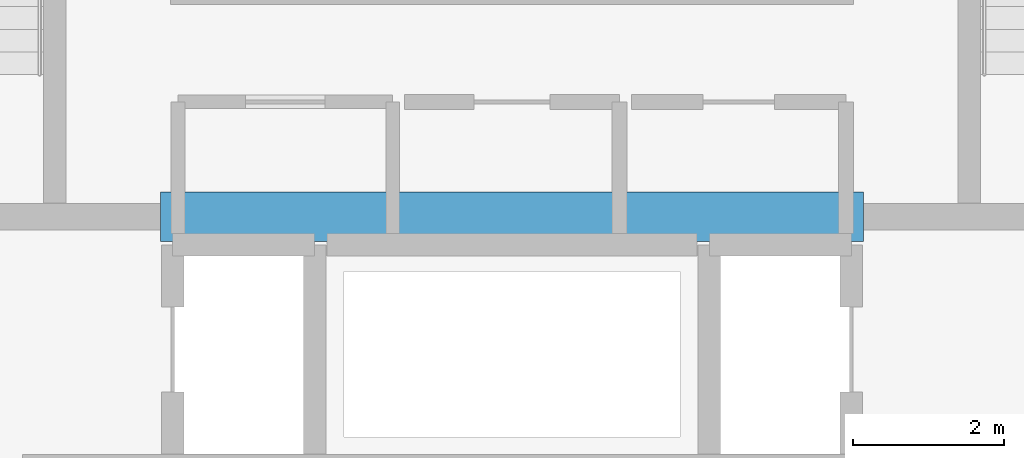
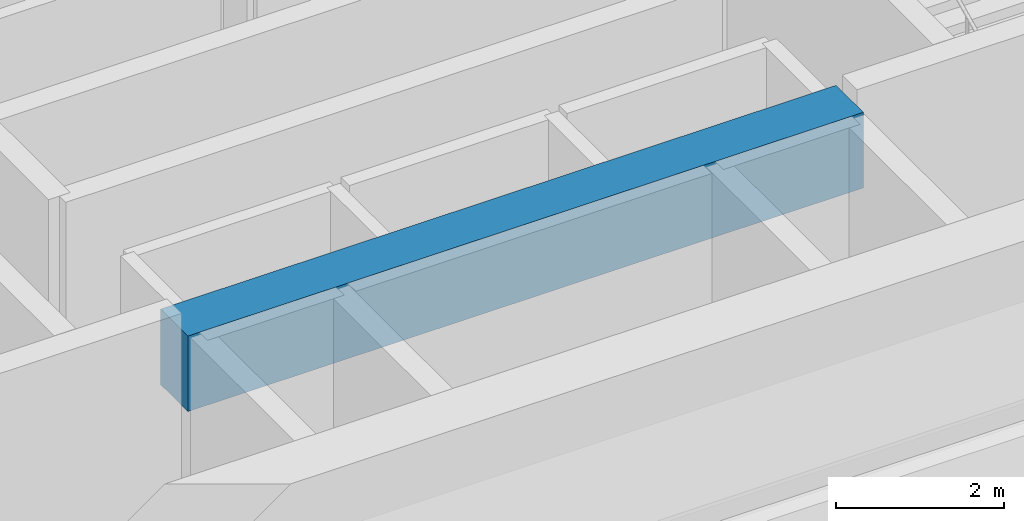
# One storey, part 8 of 34: 1 beam.
"""IFC4 building model written with IfcOpenShell, lengths in metres."""

from ifc_helpers import new_model, si_unit, direction, frame, origin, origin_2d, place, context, subcontext, project, spatial, rectangle, extrude, material, material_profile, profile_set, type_object, element, save


model = new_model("IFC4")

# Units and contexts
model_context = context("Model", 3, precision=1e-05, world=origin(), true_north=direction((0.0, 1.0)))
body_context = subcontext(model_context, "Body", "Model", "MODEL_VIEW")
ifc_project = project(units=[si_unit("LENGTHUNIT", "METRE"), si_unit("AREAUNIT", "SQUARE_METRE"), si_unit("VOLUMEUNIT", "CUBIC_METRE"), si_unit("PLANEANGLEUNIT", "RADIAN"), si_unit("MASSUNIT", "GRAM", prefix="KILO")], contexts=[model_context])

# Site, building, storey
site_placement = place(None, origin())
site = spatial("IfcSite", under=ifc_project, at=site_placement, CompositionType="ELEMENT")
building_placement = place(site_placement, origin())
building = spatial("IfcBuilding", under=site, at=building_placement, Name="Punatoya Terracotta Tower", CompositionType="ELEMENT")
storey_placement = place(building_placement, frame((0.0, 0.0, 101.10009765625)))
storey = spatial("IfcBuildingStorey", under=building, at=storey_placement, Name="L23", CompositionType="ELEMENT", Elevation=101.10009765625)

# Beam
ifc_material = material(Name="Concrete C60/75", Category="concrete")
ifc_material_profile = material_profile(ifc_material, rectangle(XDim=0.64990234375, YDim=1.10009765625, at=origin_2d()))
ifc_profile_set = profile_set([ifc_material_profile], Name="Concrete C60/75")
beam_type = type_object("IfcBeamType", Name="BM-RC-1100", PredefinedType="LINTEL", material=ifc_profile_set)
beam_placement = place(storey_placement, frame((-4.64990234375, -5.679931640625, 3.260009765625), z_axis=(1.0, 0.0, 0.0), x_axis=(0.0, 1.0, 0.0)))
element("IfcBeam", 1, at=beam_placement, inside=storey, type_object=beam_type, Name="L23 Core Coupling Lintel CSW", PredefinedType="LINTEL", context=body_context, shape_type="SweptSolid", body=[
    extrude(rectangle(XDim=0.64990234375, YDim=1.10009765625, at=origin_2d()), origin(), (0.0, 0.0, 1.0), 9.2998046875),
])

save(model, "model.ifc")
